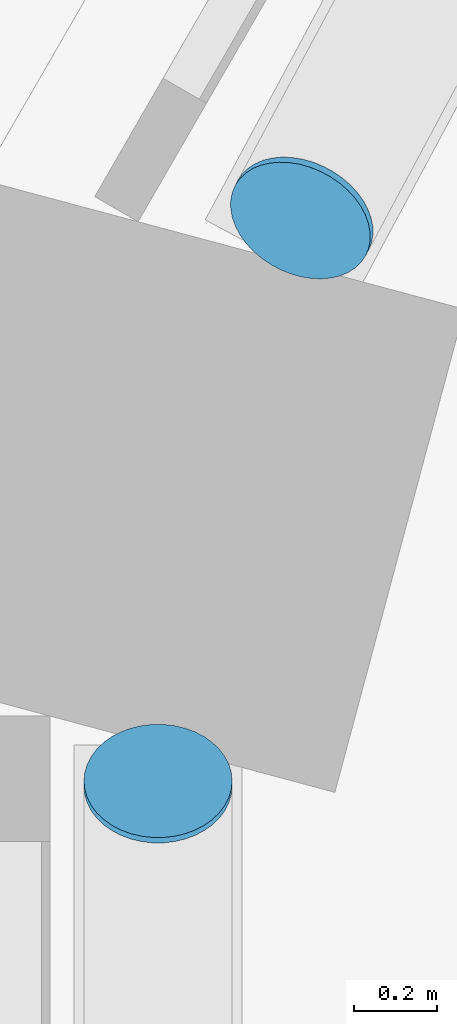
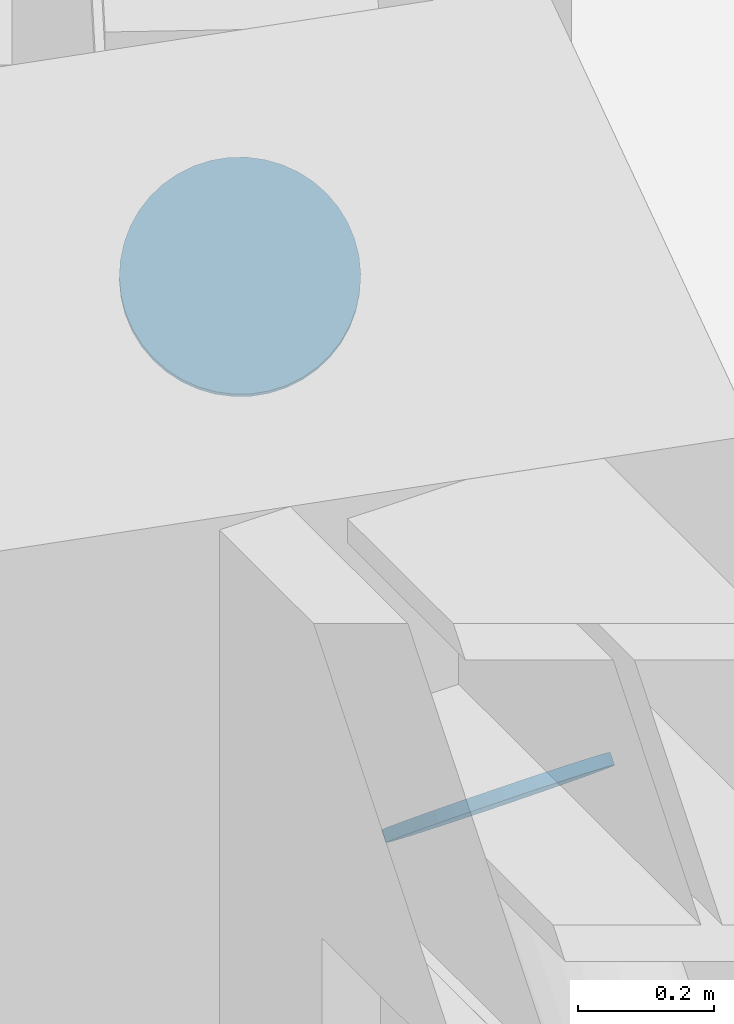
# One storey, part 10 of 14: 2 discrete accessories.
"""IFC4 building model written with IfcOpenShell, lengths in metres."""

from ifc_helpers import new_model, si_unit, direction, frame, origin, origin_2d, place, context, subcontext, project, spatial, circle, extrude, material, material_profile, profile_set, type_object, element, save


model = new_model("IFC4")

# Units and contexts
model_context = context("Model", 3, precision=1e-05, world=origin(), true_north=direction((0.0, 1.0)))
body_context = subcontext(model_context, "Body", "Model", "MODEL_VIEW")
ifc_project = project(units=[si_unit("LENGTHUNIT", "METRE"), si_unit("AREAUNIT", "SQUARE_METRE"), si_unit("VOLUMEUNIT", "CUBIC_METRE"), si_unit("PLANEANGLEUNIT", "RADIAN"), si_unit("MASSUNIT", "GRAM", prefix="KILO")], contexts=[model_context])

# Site, building, storey
site_placement = place(None, origin())
site = spatial("IfcSite", under=ifc_project, at=site_placement, CompositionType="ELEMENT")
building_placement = place(site_placement, origin())
building = spatial("IfcBuilding", under=site, at=building_placement, Name="Dhurran Vertical Campus", CompositionType="ELEMENT")
storey_placement = place(building_placement, frame((0.0, 0.0, 179.39990234375)))
storey = spatial("IfcBuildingStorey", under=building, at=storey_placement, Name="L44 Plant", CompositionType="ELEMENT", Elevation=179.39990234375)

# Discrete accessories
ifc_material = material(Name="Steel S355J2", Category="steel")
ifc_material_profile = material_profile(ifc_material, circle(Radius=0.177734375, at=origin_2d()), Name="Tube end cap 356 x 20")
ifc_profile_set = profile_set([ifc_material_profile], Name="Steel S355J2")
discrete_accessory_type = type_object("IfcDiscreteAccessoryType", Name="Tube end cap 356 x 20", PredefinedType="USERDEFINED", material=ifc_profile_set)
discrete_accessory_1_placement = place(storey_placement, frame((-29.814208984375, 2.7021484375, 3.619384765625), z_axis=(-0.332523410598, -0.615784093699, 0.714309548691), x_axis=(0.879905397657, -0.475148914735, 0.0)))
element("IfcDiscreteAccessory", 1, at=discrete_accessory_1_placement, inside=storey, type_object=discrete_accessory_type, Name="EC1 belt L44 d32 capB", ObjectType="END CAP", PredefinedType="USERDEFINED", context=body_context, shape_type="SweptSolid", body=[
    extrude(circle(Radius=0.177734375, at=origin_2d()), origin(), (0.0, 0.0, 1.0), 0.019775390625),
])
discrete_accessory_2_placement = place(storey_placement, frame((-30.162353515625, 1.33251953125, 3.627197265625), z_axis=(0.0, 0.643761629109, 0.765226087432), x_axis=(-1.0, 0.0, 0.0)))
element("IfcDiscreteAccessory", 2, at=discrete_accessory_2_placement, inside=storey, type_object=discrete_accessory_type, Name="EC1 belt L44 d33 capB", ObjectType="END CAP", PredefinedType="USERDEFINED", context=body_context, shape_type="SweptSolid", body=[
    extrude(circle(Radius=0.177734375, at=origin_2d()), origin(), (0.0, 0.0, 1.0), 0.02001953125),
])

save(model, "model.ifc")
